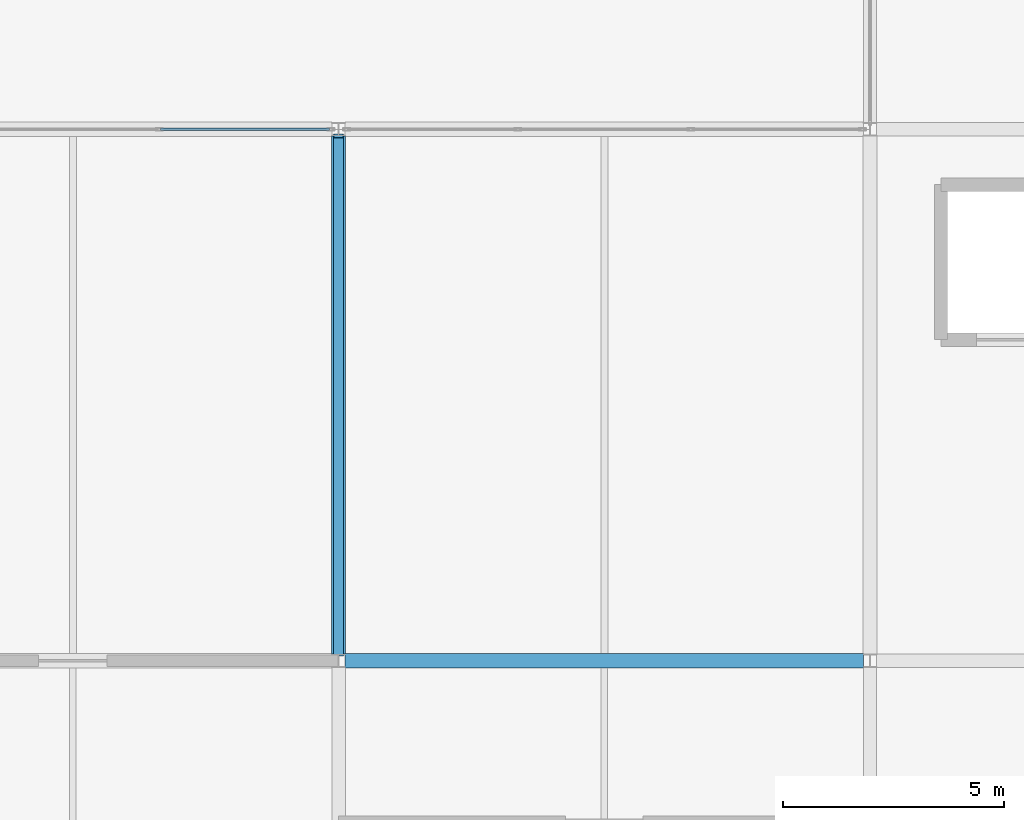
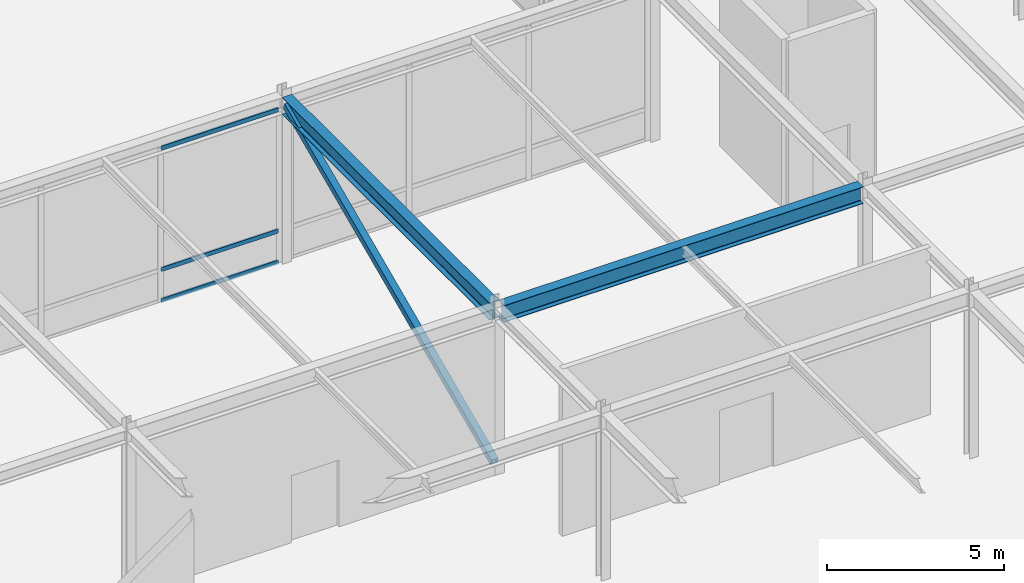
# One storey, part 36 of 108: 4 members, 2 beams, 1 element without a shape of its own.
"""IFC4 building model written with IfcOpenShell, lengths in metres."""

from ifc_helpers import new_model, si_unit, direction, frame, origin, origin_2d, place, context, subcontext, project, spatial, hollow_rectangle, i_section, extrude, material, layer, layer_set, material_profile, profile_set, type_object, element, aggregate, save


model = new_model("IFC4")

# Units and contexts
model_context = context("Model", 3, precision=1e-05, world=origin(), true_north=direction((0.0, 1.0)))
body_context = subcontext(model_context, "Body", "Model", "MODEL_VIEW")
ifc_project = project(units=[si_unit("LENGTHUNIT", "METRE"), si_unit("AREAUNIT", "SQUARE_METRE"), si_unit("VOLUMEUNIT", "CUBIC_METRE"), si_unit("PLANEANGLEUNIT", "RADIAN"), si_unit("MASSUNIT", "GRAM", prefix="KILO")], contexts=[model_context])

# Site, building, storey
site_placement = place(None, origin())
site = spatial("IfcSite", under=ifc_project, at=site_placement, CompositionType="ELEMENT")
building_placement = place(site_placement, origin())
building = spatial("IfcBuilding", under=site, at=building_placement, Name="Zlatovratsky Civic Hall", CompositionType="ELEMENT")
storey_placement = place(building_placement, frame((0.0, 0.0, 6.0)))
storey = spatial("IfcBuildingStorey", under=building, at=storey_placement, Name="L02", CompositionType="ELEMENT", Elevation=6.0)

# Beams
ifc_material_1 = material(Name="Steel S355", Category="steel")
ifc_material_profile_1 = material_profile(ifc_material_1, i_section(OverallWidth=0.320068359375, OverallDepth=0.58203125, WebThickness=0.011962890625, FlangeThickness=0.01708984375, FilletRadius=0.02392578125, at=origin_2d()), Name="60Sh1")
ifc_profile_set_1 = profile_set([ifc_material_profile_1], Name="Steel S355")
beam_type = type_object("IfcBeamType", Name="Beam_PodiumGirder_60Sh1", PredefinedType="BEAM", material=ifc_profile_set_1)
for number, where, z_axis, x_axis, name in (
    (1, (36.14990234375, 18.0, 5.468994140625), (1.0, 0.0, 0.0), (0.0, 1.0, 0.0), "BM-1765"),
    (2, (36.0, 18.14990234375, 5.468994140625), (0.0, 1.0, 0.0), (-1.0, 0.0, 0.0), "BM-2121"),
):
    element("IfcBeam", number, at=place(storey_placement, frame(where, z_axis=z_axis, x_axis=x_axis)), inside=storey, type_object=beam_type, Name=name, PredefinedType="BEAM", context=body_context, shape_type="SweptSolid", body=[
        extrude(i_section(OverallWidth=0.320068359375, OverallDepth=0.58203125, WebThickness=0.011962890625, FlangeThickness=0.01708984375, FilletRadius=0.02392578125, at=origin_2d()), origin(), (0.0, 0.0, 1.0), 11.7001953125),
    ])

# Member
ifc_material_profile_2 = material_profile(ifc_material_1, hollow_rectangle(XDim=0.219970703125, YDim=0.219970703125, WallThickness=0.010009765625, at=origin_2d()), Name="SHS 220x220x10")
ifc_profile_set_2 = profile_set([ifc_material_profile_2], Name="Steel S355")
member_type_1 = type_object("IfcMemberType", Name="Brace_Podium_SHS220", PredefinedType="BRACE", material=ifc_profile_set_2)
member_1_placement = place(storey_placement, frame((36.0, 18.14990234375, 0.25), z_axis=(0.0, 0.913815480127, 0.406129620049), x_axis=(-1.0, 0.0, 0.0)))
element("IfcMember", 3, at=member_1_placement, inside=storey, type_object=member_type_1, Name="MB-0104", PredefinedType="BRACE", context=body_context, shape_type="SweptSolid", body=[
    extrude(hollow_rectangle(XDim=0.219970703125, YDim=0.219970703125, WallThickness=0.010009765625, at=origin_2d()), origin(), (0.0, 0.0, 1.0), 12.8037109375),
])

# Curtain wall, members
ifc_material_2 = material(Name="Anodised bronze aluminium", Category="aluminium")
ifc_layer = layer(ifc_material_2, 0.159912109375)
ifc_layer_set = layer_set([ifc_layer], Name="Anodised bronze aluminium")
curtain_wall_type = type_object("IfcCurtainWallType", Name="CurtainWall_Bronze_11700x5310_05", PredefinedType="NOTDEFINED", material=ifc_layer_set)
curtain_wall_placement = place(storey_placement, origin())
curtain_wall = element("IfcCurtainWall", 4, at=curtain_wall_placement, inside=storey, type_object=curtain_wall_type, Name="CW-010", PredefinedType="NOTDEFINED")
ifc_material_profile_3 = material_profile(ifc_material_2, hollow_rectangle(XDim=0.06005859375, YDim=0.139892578125, WallThickness=0.00390625, at=origin_2d()), Name="ALU 60x140x4")
ifc_profile_set_3 = profile_set([ifc_material_profile_3], Name="Anodised bronze aluminium")
member_type_2 = type_object("IfcMemberType", Name="CW_Transom_60x140", PredefinedType="USERDEFINED", material=ifc_profile_set_3)
member_2_placement = place(storey_placement, frame((31.97998046875, 30.0, 0.030029296875), z_axis=(1.0, 0.0, 0.0), x_axis=(0.0, 1.0, 0.0)))
member_2 = element("IfcMember", 5, at=member_2_placement, type_object=member_type_2, Name="CW-05 transom 3.1", ObjectType="TRANSOM", PredefinedType="USERDEFINED", context=body_context, shape_type="SweptSolid", body=[
    extrude(hollow_rectangle(XDim=0.06005859375, YDim=0.139892578125, WallThickness=0.00390625, at=origin_2d()), origin(), (0.0, 0.0, 1.0), 3.81005859375),
])
member_3_placement = place(storey_placement, frame((31.97998046875, 30.0, 1.10009765625), z_axis=(1.0, 0.0, 0.0), x_axis=(0.0, 1.0, 0.0)))
member_3 = element("IfcMember", 6, at=member_3_placement, type_object=member_type_2, Name="CW-05 transom 3.2", ObjectType="TRANSOM", PredefinedType="USERDEFINED", context=body_context, shape_type="SweptSolid", body=[
    extrude(hollow_rectangle(XDim=0.06005859375, YDim=0.139892578125, WallThickness=0.00390625, at=origin_2d()), origin(), (0.0, 0.0, 1.0), 3.81005859375),
])
member_4_placement = place(storey_placement, frame((31.97998046875, 30.0, 5.280029296875), z_axis=(1.0, 0.0, 0.0), x_axis=(0.0, 1.0, 0.0)))
member_4 = element("IfcMember", 7, at=member_4_placement, type_object=member_type_2, Name="CW-05 transom 3.3", ObjectType="TRANSOM", PredefinedType="USERDEFINED", context=body_context, shape_type="SweptSolid", body=[
    extrude(hollow_rectangle(XDim=0.06005859375, YDim=0.139892578125, WallThickness=0.00390625, at=origin_2d()), origin(), (0.0, 0.0, 1.0), 3.81005859375),
])
aggregate(curtain_wall, [member_2, member_3, member_4])

save(model, "model.ifc")
